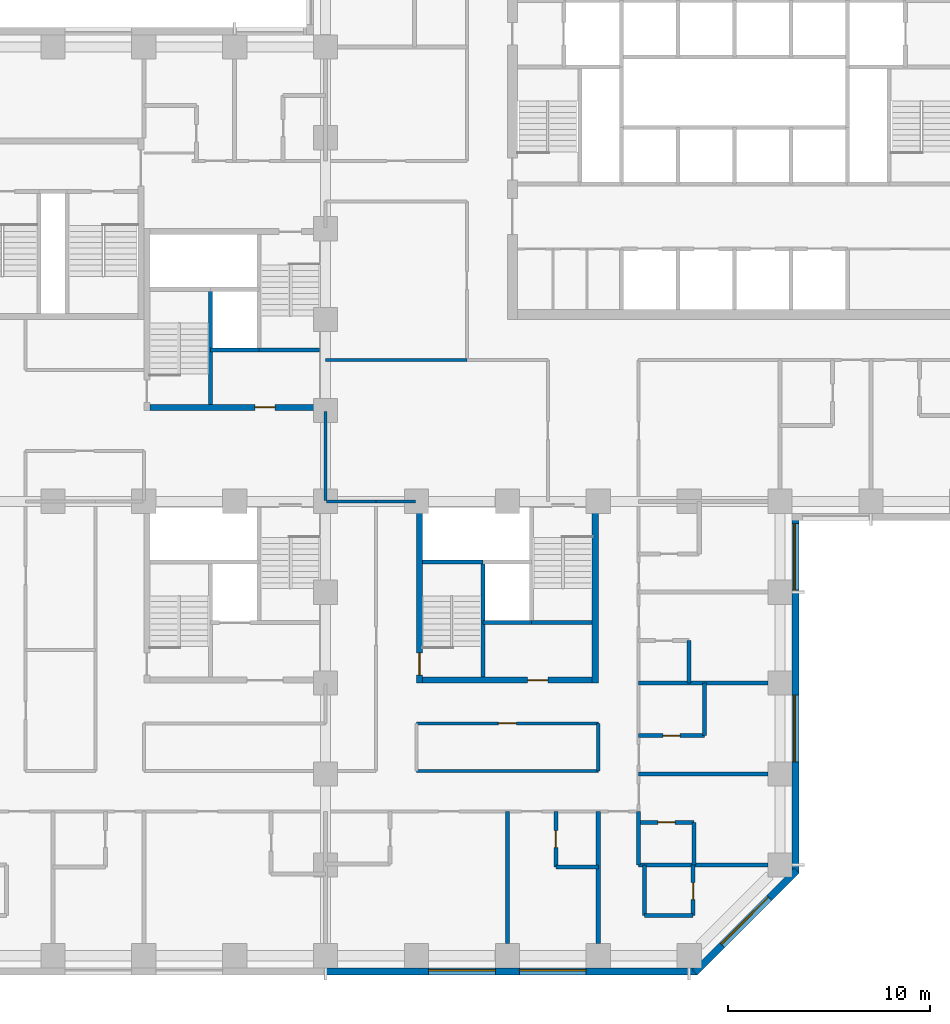
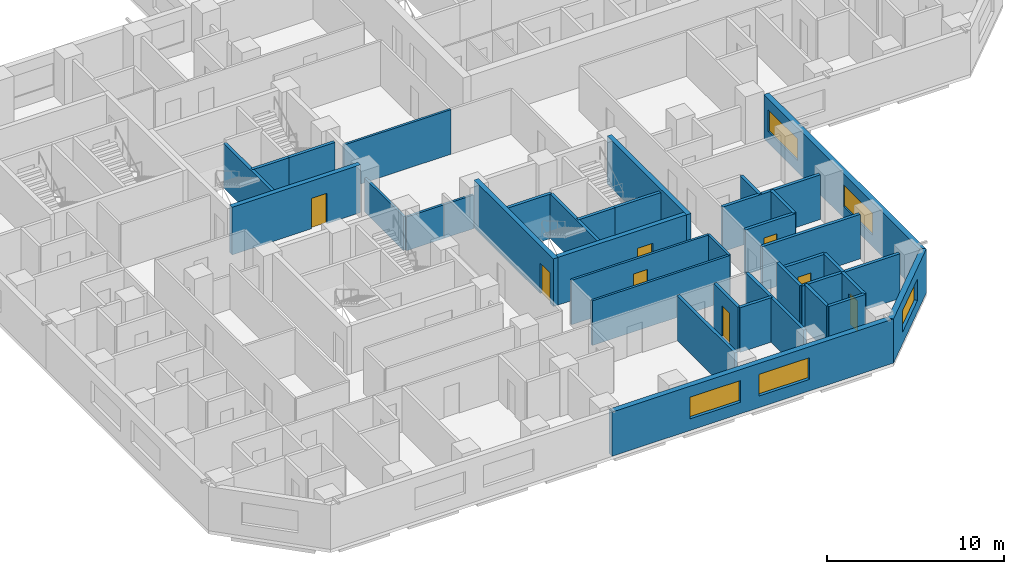
# One storey, part 5 of 13: 37 walls, 8 doors, 5 windows, 13 openings.
"""IFC4 building model written with IfcOpenShell, lengths in metres."""

import ifcopenshell
import ifcopenshell.guid

model = None  # the IFC model being written
_history = None  # IfcOwnerHistory: only IFC2X3 demands one
_inside = {}  # id of a spatial element -> (the spatial element, [elements in it])
_under = {}  # id of a project, library or spatial element -> (it, [spatial elements below it])
_declared = {}  # id of a project -> (the project, [libraries it declares])
_typed = {}  # id of a type object -> (the type object, [elements of that type])
_made_of = {}  # id of a material, layer set ... -> (it, [elements and type objects made of it])


def new_model(schema):
    """Start an empty IFC model of exactly this schema.

    Asked for "IFC4X3", IfcOpenShell would pick the latest addendum, in which some entities
    have other attributes; the version numbers below select the first issue.
    IFC2X3 requires an IfcOwnerHistory on every rooted entity: one is made here for all.
    """
    global model, _history
    if schema == "IFC4X3":
        model = ifcopenshell.file(schema_version=(4, 3, 0, 0))
    else:
        model = ifcopenshell.file(schema=schema)
    _inside.clear()
    _under.clear()
    _declared.clear()
    _typed.clear()
    _made_of.clear()
    _history = None
    if model.schema == "IFC2X3":
        org = make("IfcOrganization", Name="unknown")
        user = make(
            "IfcPersonAndOrganization",
            ThePerson=make("IfcPerson", FamilyName="unknown"),
            TheOrganization=org,
        )
        app = make(
            "IfcApplication",
            ApplicationDeveloper=org,
            Version="unknown",
            ApplicationFullName="unknown",
            ApplicationIdentifier="unknown",
        )
        _history = make(
            "IfcOwnerHistory",
            OwningUser=user,
            OwningApplication=app,
            ChangeAction="ADDED",
            CreationDate=0,
        )
    return model


def make(cls, **values):
    """One entity of the class cls with the attributes given. An attribute that is None is left unset."""
    return model.create_entity(
        cls, **{name: value for name, value in values.items() if value is not None}
    )


def rooted(cls, **values):
    """An entity with a GlobalId (a new one), such as an element, a storey or a relation."""
    return make(cls, GlobalId=ifcopenshell.guid.new(), OwnerHistory=_history, **values)


def si_unit(unit_type, name, prefix=None):
    """IfcSIUnit, for example si_unit("LENGTHUNIT", "METRE", prefix="MILLI")."""
    return make("IfcSIUnit", UnitType=unit_type, Prefix=prefix, Name=name)


def assignment(units):
    """IfcUnitAssignment: the units of a project."""
    return None if units is None else make("IfcUnitAssignment", Units=units)


def point(xyz):
    """IfcCartesianPoint."""
    return None if xyz is None else make("IfcCartesianPoint", Coordinates=xyz)


def direction(xyz):
    """IfcDirection."""
    return None if xyz is None else make("IfcDirection", DirectionRatios=xyz)


def frame(location, z_axis=None, x_axis=None):
    """IfcAxis2Placement3D, a coordinate frame: its origin and axes. An axis left out is left unset."""
    return make(
        "IfcAxis2Placement3D",
        Location=point(location),
        Axis=direction(z_axis),
        RefDirection=direction(x_axis),
    )


def frame_2d(location, x_axis=None):
    """IfcAxis2Placement2D, a coordinate frame in the plane: its origin and x axis."""
    return make(
        "IfcAxis2Placement2D", Location=point(location), RefDirection=direction(x_axis)
    )


def origin():
    """The frame at (0, 0, 0) with its axes left unset."""
    return frame((0.0, 0.0, 0.0))


def place(relative_to, where):
    """IfcLocalPlacement: puts the frame where relative to a parent placement (None: the world)."""
    return make(
        "IfcLocalPlacement", PlacementRelTo=relative_to, RelativePlacement=where
    )


def context(
    kind, dimensions, precision=None, world=None, true_north=None, identifier=None
):
    """IfcGeometricRepresentationContext, for example the 3D "Model" context."""
    return make(
        "IfcGeometricRepresentationContext",
        ContextIdentifier=identifier,
        ContextType=kind,
        CoordinateSpaceDimension=dimensions,
        Precision=precision,
        WorldCoordinateSystem=world,
        TrueNorth=true_north,
    )


def subcontext(parent, identifier, kind, view, scale=None):
    """IfcGeometricRepresentationSubContext, for example "Body" below "Model"."""
    return make(
        "IfcGeometricRepresentationSubContext",
        ContextIdentifier=identifier,
        ContextType=kind,
        ParentContext=parent,
        TargetScale=scale,
        TargetView=view,
    )


def project(units=None, contexts=None):
    """IfcProject with its units and contexts."""
    return rooted(
        "IfcProject",
        Name="project",
        RepresentationContexts=contexts,
        UnitsInContext=assignment(units),
    )


def spatial(cls, under=None, at=None, **own):
    """A site, building, storey or space (cls), placed at a placement, below another one or the project."""
    s = rooted(cls, ObjectPlacement=at, **own)
    if under is not None:
        _under.setdefault(under.id(), (under, []))[1].append(s)
    return s


def profile(cls, at=None, kind="AREA", **sizes):
    """A parametric profile (cls). Its sizes go by their IFC names, for example OverallWidth=200.0."""
    return make(cls, ProfileType=kind, Position=at, **sizes)


def rectangle(**sizes):
    """IfcRectangleProfileDef."""
    return profile("IfcRectangleProfileDef", **sizes)


def extrude(swept, where, along, depth):
    """IfcExtrudedAreaSolid: the profile swept, set in the frame where, extruded along a direction by depth."""
    return make(
        "IfcExtrudedAreaSolid",
        SweptArea=swept,
        Position=where,
        ExtrudedDirection=direction(along),
        Depth=depth,
    )


def shape(context_of_items, identifier, shape_type, items):
    """IfcShapeRepresentation: the items that make up one representation, for example the "Body"."""
    return make(
        "IfcShapeRepresentation",
        ContextOfItems=context_of_items,
        RepresentationIdentifier=identifier,
        RepresentationType=shape_type,
        Items=items,
    )


def material(Name=None, Category=None):
    """IfcMaterial."""
    return make("IfcMaterial", Name=Name, Category=Category)


def layer(
    of_material, thickness, ventilated=None, Name=None, Category=None, Priority=None
):
    """IfcMaterialLayer: one layer of a wall or slab, of a material (None: an air gap)."""
    return make(
        "IfcMaterialLayer",
        Material=of_material,
        LayerThickness=thickness,
        IsVentilated=ventilated,
        Name=Name,
        Category=Category,
        Priority=Priority,
    )


def layer_set(layers, Name=None):
    """IfcMaterialLayerSet."""
    return make("IfcMaterialLayerSet", MaterialLayers=layers, LayerSetName=Name)


def constituent(of_material, Name=None, Category=None, fraction=None):
    """IfcMaterialConstituent: one of the materials an element consists of."""
    return make(
        "IfcMaterialConstituent",
        Name=Name,
        Material=of_material,
        Fraction=fraction,
        Category=Category,
    )


def constituent_set(constituents=None, Name=None):
    """IfcMaterialConstituentSet."""
    return make(
        "IfcMaterialConstituentSet", Name=Name, MaterialConstituents=constituents
    )


def made_of(thing, what):
    """Note that an element or type object is made of a material, layer set ...; save() writes the relation."""
    if what is not None:
        _made_of.setdefault(what.id(), (what, []))[1].append(thing)
    return thing


def type_object(cls, material=None, **own):
    """A type object (cls), such as IfcWallType, which elements share."""
    return made_of(rooted(cls, **own), material)


def element(
    cls,
    number,
    at=None,
    inside=None,
    cuts=None,
    type_object=None,
    material=None,
    context=None,
    identifier="Body",
    shape_type=None,
    held_by="IfcProductDefinitionShape",
    body=None,
    shapes=None,
    **own,
):
    """One element of the class cls, such as IfcWall. Its Tag is "e" and its number.

    at: its placement. inside: the storey or other place that contains it. cuts: it is an
    opening in that element (IfcRelVoidsElement). A single representation is given by context,
    identifier, shape_type and body (its items); several are given by shapes. held_by: the class
    of the entity that holds the representations. save() writes the other relations.
    """
    e = rooted(cls, Tag="e%d" % number, ObjectPlacement=at, **own)
    if body is not None:
        shapes = [shape(context, identifier, shape_type, body)]
    if shapes is not None:
        e.Representation = make(held_by, Representations=shapes)
    if inside is not None:
        _inside.setdefault(inside.id(), (inside, []))[1].append(e)
    if cuts is not None:
        rooted(
            "IfcRelVoidsElement", RelatingBuildingElement=cuts, RelatedOpeningElement=e
        )
    if type_object is not None:
        _typed.setdefault(type_object.id(), (type_object, []))[1].append(e)
    return made_of(e, material)


def fill(opening, filler):
    """IfcRelFillsElement: the door or window that sits in an opening."""
    return rooted(
        "IfcRelFillsElement",
        RelatingOpeningElement=opening,
        RelatedBuildingElement=filler,
    )


def aggregate(whole, parts):
    """IfcRelAggregates: a whole, such as a stair, and the parts it consists of."""
    return rooted("IfcRelAggregates", RelatingObject=whole, RelatedObjects=parts)


def save(model, path):
    """Write the relations noted so far, then the file.

    IfcRelAggregates (storeys below a building ...), IfcRelContainedInSpatialStructure (elements
    in a storey), IfcRelDefinesByType, IfcRelAssociatesMaterial and IfcRelDeclares: one each for
    every whole, place, type object, material and project.
    """
    for whole, parts in _under.values():
        aggregate(whole, parts)
    for where, things in _inside.values():
        rooted(
            "IfcRelContainedInSpatialStructure",
            RelatedElements=things,
            RelatingStructure=where,
        )
    for kind, things in _typed.values():
        rooted("IfcRelDefinesByType", RelatedObjects=things, RelatingType=kind)
    for what, things in _made_of.values():
        rooted("IfcRelAssociatesMaterial", RelatedObjects=things, RelatingMaterial=what)
    for by, libraries in _declared.values():
        rooted("IfcRelDeclares", RelatingContext=by, RelatedDefinitions=libraries)
    model.write(path)


model = new_model("IFC4")

# Units and contexts
model_context = context("Model", 3, precision=1e-05, world=origin(), true_north=direction((0.0, 1.0)))
body_context = subcontext(model_context, "Body", "Model", "MODEL_VIEW")
ifc_project = project(units=[si_unit("LENGTHUNIT", "METRE"), si_unit("AREAUNIT", "SQUARE_METRE"), si_unit("VOLUMEUNIT", "CUBIC_METRE"), si_unit("PLANEANGLEUNIT", "RADIAN"), si_unit("MASSUNIT", "GRAM", prefix="KILO")], contexts=[model_context])

# Site, building, storey
site_placement = place(None, origin())
site = spatial("IfcSite", under=ifc_project, at=site_placement, CompositionType="ELEMENT")
building_placement = place(site_placement, origin())
building = spatial("IfcBuilding", under=site, at=building_placement, Name="Quoin Convention Tower", CompositionType="ELEMENT")
storey_placement = place(building_placement, frame((0.0, 0.0, 36.300048828125)))
storey = spatial("IfcBuildingStorey", under=building, at=storey_placement, Name="L08", CompositionType="ELEMENT", Elevation=36.300048828125)

# Wall, openings, windows
ifc_material_1 = material(Name="Brick masonry", Category="masonry")
ifc_layer_1 = layer(ifc_material_1, 0.35009765625)
ifc_layer_set_1 = layer_set([ifc_layer_1], Name="Brick masonry")
wall_type_1 = type_object("IfcWallType", Name="Brick facade wall", PredefinedType="STANDARD", material=ifc_layer_set_1)
wall_1_placement = place(storey_placement, frame((36.0, 17.22509765625, 0.0), z_axis=(0.0, 0.0, 1.0), x_axis=(1.0, 0.0, 0.0)))
wall_1 = element("IfcWall", 1, at=wall_1_placement, inside=storey, type_object=wall_type_1, Name="fw-L08-36000_18000", PredefinedType="STANDARD", context=body_context, shape_type="SweptSolid", body=[
    extrude(rectangle(XDim=18.3935546875, YDim=0.35009765625, at=frame_2d((9.19677734375, 0.0))), origin(), (0.0, 0.0, 1.0), 3.054931640625),
])
opening_1_placement = place(wall_1_placement, frame((5.10009765625, 0.0, 0.800048828125)))
opening_1 = element("IfcOpeningElement", 2, at=opening_1_placement, cuts=wall_1, Name="Opening W-01", PredefinedType="OPENING", context=body_context, shape_type="SweptSolid", body=[
    extrude(rectangle(XDim=3.300048828125, YDim=1.5, at=frame_2d((1.64990234375, 0.75))), frame((0.0, 0.18505859375, 0.0), z_axis=(0.0, -1.0, 0.0), x_axis=(1.0, 0.0, 0.0)), (0.0, 0.0, 1.0), 0.3701171875),
])
opening_2_placement = place(wall_1_placement, frame((9.60009765625, 0.0, 0.800048828125)))
opening_2 = element("IfcOpeningElement", 3, at=opening_2_placement, cuts=wall_1, Name="Opening W-01", PredefinedType="OPENING", context=body_context, shape_type="SweptSolid", body=[
    extrude(rectangle(XDim=3.300048828125, YDim=1.5, at=frame_2d((1.64990234375, 0.75))), frame((0.0, 0.18505859375, 0.0), z_axis=(0.0, -1.0, 0.0), x_axis=(1.0, 0.0, 0.0)), (0.0, 0.0, 1.0), 0.3701171875),
])
ifc_material_2 = material(Name="Aluminium", Category="aluminium")
ifc_constituent_1 = constituent(ifc_material_2, Name="Frame")
ifc_material_3 = material(Name="Insulated glass", Category="glass")
ifc_constituent_2 = constituent(ifc_material_3, Name="Glazing")
ifc_constituent_set = constituent_set(constituents=[ifc_constituent_1, ifc_constituent_2], Name="Aluminium")
window_type = type_object("IfcWindowType", Name="Hotel strip window", PartitioningType="DOUBLE_PANEL_VERTICAL", PredefinedType="WINDOW", material=ifc_constituent_set)
window_1_placement = place(opening_1_placement, origin())
window_1 = element("IfcWindow", 4, at=window_1_placement, inside=storey, type_object=window_type, Name="win-L08-42750_17225", OverallHeight=1.5, OverallWidth=3.300048828125, PartitioningType="SINGLE_PANEL", PredefinedType="WINDOW", context=body_context, shape_type="SweptSolid", body=[
    extrude(rectangle(XDim=3.300048828125, YDim=1.5, at=frame_2d((1.64990234375, 0.75))), frame((0.0, 0.0849609375, 0.0), z_axis=(0.0, -1.0, 0.0), x_axis=(1.0, 0.0, 0.0)), (0.0, 0.0, 1.0), 0.06005859375),
])
fill(opening_1, window_1)
window_2_placement = place(opening_2_placement, origin())
window_2 = element("IfcWindow", 5, at=window_2_placement, inside=storey, type_object=window_type, Name="win-L08-47250_17225", OverallHeight=1.5, OverallWidth=3.300048828125, PartitioningType="SINGLE_PANEL", PredefinedType="WINDOW", context=body_context, shape_type="SweptSolid", body=[
    extrude(rectangle(XDim=3.300048828125, YDim=1.5, at=frame_2d((1.64990234375, 0.75))), frame((0.0, 0.0849609375, 0.0), z_axis=(0.0, -1.0, 0.0), x_axis=(1.0, 0.0, 0.0)), (0.0, 0.0, 1.0), 0.06005859375),
])
fill(opening_2, window_2)

# Wall, opening, window
wall_2_placement = place(storey_placement, frame((54.269775390625, 17.173583984375, 0.0), z_axis=(0.0, 0.0, 1.0), x_axis=(0.707106781187, 0.707106781187, 0.0)))
wall_2 = element("IfcWall", 6, at=wall_2_placement, inside=storey, type_object=wall_type_1, Name="fw-L08-54000_18000", PredefinedType="STANDARD", context=body_context, shape_type="SweptSolid", body=[
    extrude(rectangle(XDim=7.151123046875, YDim=0.35009765625, at=frame_2d((3.57568359375, 0.0))), origin(), (0.0, 0.0, 1.0), 3.054931640625),
])
opening_3_placement = place(wall_2_placement, frame((1.925537109375, 0.0, 0.800048828125)))
opening_3 = element("IfcOpeningElement", 7, at=opening_3_placement, cuts=wall_2, Name="Opening W-01", PredefinedType="OPENING", context=body_context, shape_type="SweptSolid", body=[
    extrude(rectangle(XDim=3.300048828125, YDim=1.5, at=frame_2d((1.64990234375, 0.75))), frame((0.0, 0.18505859375, 0.0), z_axis=(0.0, -1.0, 0.0), x_axis=(1.0, 0.0, 0.0)), (0.0, 0.0, 1.0), 0.3701171875),
])
window_3_placement = place(opening_3_placement, origin())
window_3 = element("IfcWindow", 8, at=window_3_placement, inside=storey, type_object=window_type, Name="win-L08-56798_19702", OverallHeight=1.5, OverallWidth=3.300048828125, PartitioningType="SINGLE_PANEL", PredefinedType="WINDOW", context=body_context, shape_type="SweptSolid", body=[
    extrude(rectangle(XDim=3.300048828125, YDim=1.5, at=frame_2d((1.64990234375, 0.75))), frame((0.0, 0.0849609375, 0.0), z_axis=(0.0, -1.0, 0.0), x_axis=(1.0, 0.0, 0.0)), (0.0, 0.0, 1.0), 0.06005859375),
])
fill(opening_3, window_3)

# Wall, openings, windows
wall_3_placement = place(storey_placement, frame((59.27490234375, 22.1064453125, 0.0), z_axis=(0.0, 0.0, 1.0), x_axis=(0.0, 1.0, 0.0)))
wall_3 = element("IfcWall", 9, at=wall_3_placement, inside=storey, type_object=wall_type_1, Name="fw-L08-58500_22500", PredefinedType="STANDARD", context=body_context, shape_type="SweptSolid", body=[
    extrude(rectangle(XDim=17.79345703125, YDim=0.35009765625, at=frame_2d((8.896728515625, 0.0))), origin(), (0.0, 0.0, 1.0), 3.054931640625),
])
opening_4_placement = place(wall_3_placement, frame((5.493408203125, 0.0, 0.800048828125)))
opening_4 = element("IfcOpeningElement", 10, at=opening_4_placement, cuts=wall_3, Name="Opening W-01", PredefinedType="OPENING", context=body_context, shape_type="SweptSolid", body=[
    extrude(rectangle(XDim=3.300048828125, YDim=1.5, at=frame_2d((1.64990234375, 0.75))), frame((0.0, 0.18505859375, 0.0), z_axis=(0.0, -1.0, 0.0), x_axis=(1.0, 0.0, 0.0)), (0.0, 0.0, 1.0), 0.3701171875),
])
opening_5_placement = place(wall_3_placement, frame((13.993408203125, 0.0, 0.800048828125)))
opening_5 = element("IfcOpeningElement", 11, at=opening_5_placement, cuts=wall_3, Name="Opening W-01", PredefinedType="OPENING", context=body_context, shape_type="SweptSolid", body=[
    extrude(rectangle(XDim=3.300048828125, YDim=1.5, at=frame_2d((1.64990234375, 0.75))), frame((0.0, 0.18505859375, 0.0), z_axis=(0.0, -1.0, 0.0), x_axis=(1.0, 0.0, 0.0)), (0.0, 0.0, 1.0), 0.3701171875),
])
window_4_placement = place(opening_4_placement, origin())
window_4 = element("IfcWindow", 12, at=window_4_placement, inside=storey, type_object=window_type, Name="win-L08-59275_29250", OverallHeight=1.5, OverallWidth=3.300048828125, PartitioningType="SINGLE_PANEL", PredefinedType="WINDOW", context=body_context, shape_type="SweptSolid", body=[
    extrude(rectangle(XDim=3.300048828125, YDim=1.5, at=frame_2d((1.64990234375, 0.75))), frame((0.0, 0.0849609375, 0.0), z_axis=(0.0, -1.0, 0.0), x_axis=(1.0, 0.0, 0.0)), (0.0, 0.0, 1.0), 0.06005859375),
])
fill(opening_4, window_4)
window_5_placement = place(opening_5_placement, origin())
window_5 = element("IfcWindow", 13, at=window_5_placement, inside=storey, type_object=window_type, Name="win-L08-59275_38250", OverallHeight=1.5, OverallWidth=3.300048828125, PartitioningType="SINGLE_PANEL", PredefinedType="WINDOW", context=body_context, shape_type="SweptSolid", body=[
    extrude(rectangle(XDim=3.300048828125, YDim=1.5, at=frame_2d((1.64990234375, 0.75))), frame((0.0, 0.0849609375, 0.0), z_axis=(0.0, -1.0, 0.0), x_axis=(1.0, 0.0, 0.0)), (0.0, 0.0, 1.0), 0.06005859375),
])
fill(opening_5, window_5)

# Walls
ifc_material_4 = material(Name="Concrete C50", Category="concrete")
ifc_layer_2 = layer(ifc_material_4, 0.199951171875)
ifc_layer_set_2 = layer_set([ifc_layer_2], Name="Concrete C50")
wall_type_2 = type_object("IfcWallType", Name="Core shaft wall", PredefinedType="SOLIDWALL", material=ifc_layer_set_2)
wall_4_placement = place(storey_placement, frame((30.300048828125, 48.0, 0.0), z_axis=(0.0, 0.0, 1.0), x_axis=(1.0, 0.0, 0.0)))
element("IfcWall", 14, at=wall_4_placement, inside=storey, type_object=wall_type_2, Name="cr-P2-L08-h3000_3300", PredefinedType="SOLIDWALL", context=body_context, shape_type="SweptSolid", body=[
    extrude(rectangle(XDim=2.39990234375, YDim=0.199951171875, at=frame_2d((1.199951171875, 0.0))), origin(), (0.0, 0.0, 1.0), 3.079833984375),
])
wall_5_placement = place(storey_placement, frame((32.699951171875, 48.0, 0.0), z_axis=(0.0, 0.0, 1.0), x_axis=(1.0, 0.0, 0.0)))
element("IfcWall", 15, at=wall_5_placement, inside=storey, type_object=wall_type_2, Name="cr-P2-L08-h3000_5700", PredefinedType="SOLIDWALL", context=body_context, shape_type="SweptSolid", body=[
    extrude(rectangle(XDim=3.0, YDim=0.199951171875, at=frame_2d((1.5, 0.0))), origin(), (0.0, 0.0, 1.0), 3.079833984375),
])
wall_6_placement = place(storey_placement, frame((30.300048828125, 45.300048828125, 0.0), z_axis=(0.0, 0.0, 1.0), x_axis=(0.0, 1.0, 0.0)))
element("IfcWall", 16, at=wall_6_placement, inside=storey, type_object=wall_type_2, Name="cr-P2-L08-v3300_300", PredefinedType="SOLIDWALL", context=body_context, shape_type="SweptSolid", body=[
    extrude(rectangle(XDim=5.699951171875, YDim=0.199951171875, at=frame_2d((2.85009765625, 0.0))), origin(), (0.0, 0.0, 1.0), 3.079833984375),
])
wall_7_placement = place(storey_placement, frame((43.800048828125, 34.5, 0.0), z_axis=(0.0, 0.0, 1.0), x_axis=(1.0, 0.0, 0.0)))
element("IfcWall", 17, at=wall_7_placement, inside=storey, type_object=wall_type_2, Name="cr-P3-L08-h3000_3300", PredefinedType="SOLIDWALL", context=body_context, shape_type="SweptSolid", body=[
    extrude(rectangle(XDim=2.39990234375, YDim=0.199951171875, at=frame_2d((1.199951171875, 0.0))), origin(), (0.0, 0.0, 1.0), 3.079833984375),
])
for number, where, z_axis, x_axis, name in (
    (18, (46.199951171875, 34.5, 0.0), (0.0, 0.0, 1.0), (1.0, 0.0, 0.0), "cr-P3-L08-h3000_5700"),
    (19, (40.800048828125, 37.5, 0.0), (0.0, 0.0, 1.0), (1.0, 0.0, 0.0), "cr-P3-L08-h6000_300"),
):
    element("IfcWall", number, at=place(storey_placement, frame(where, z_axis=z_axis, x_axis=x_axis)), inside=storey, type_object=wall_type_2, Name=name, PredefinedType="SOLIDWALL", context=body_context, shape_type="SweptSolid", body=[
        extrude(rectangle(XDim=3.0, YDim=0.199951171875, at=frame_2d((1.5, 0.0))), origin(), (0.0, 0.0, 1.0), 3.079833984375),
    ])
wall_8_placement = place(storey_placement, frame((43.800048828125, 31.800048828125, 0.0), z_axis=(0.0, 0.0, 1.0), x_axis=(0.0, 1.0, 0.0)))
element("IfcWall", 20, at=wall_8_placement, inside=storey, type_object=wall_type_2, Name="cr-P3-L08-v3300_300", PredefinedType="SOLIDWALL", context=body_context, shape_type="SweptSolid", body=[
    extrude(rectangle(XDim=5.699951171875, YDim=0.199951171875, at=frame_2d((2.85009765625, 0.0))), origin(), (0.0, 0.0, 1.0), 3.079833984375),
])

# Wall, opening, door
ifc_material_5 = material(Name="Concrete C80", Category="concrete")
ifc_layer_3 = layer(ifc_material_5, 0.300048828125)
ifc_layer_set_3 = layer_set([ifc_layer_3], Name="Concrete C80")
wall_type_3 = type_object("IfcWallType", Name="RC CORE WALL 300 C80", PredefinedType="SHEAR", material=ifc_layer_set_3)
wall_9_placement = place(storey_placement, frame((27.300048828125, 45.14990234375, 0.0), z_axis=(0.0, 0.0, 1.0), x_axis=(1.0, 0.0, 0.0)))
wall_9 = element("IfcWall", 21, at=wall_9_placement, inside=storey, type_object=wall_type_3, Name="cwl-P2-L08-S", PredefinedType="SHEAR", context=body_context, shape_type="SweptSolid", body=[
    extrude(rectangle(XDim=8.39990234375, YDim=0.300048828125, at=frame_2d((4.199951171875, 0.0))), origin(), (0.0, 0.0, 1.0), 3.300048828125),
])
opening_6_placement = place(wall_9_placement, frame((5.199951171875, 0.0, 0.0)))
opening_6 = element("IfcOpeningElement", 22, at=opening_6_placement, cuts=wall_9, Name="Opening DCV3-41", PredefinedType="OPENING", context=body_context, shape_type="SweptSolid", body=[
    extrude(rectangle(XDim=1.0, YDim=2.10009765625, at=frame_2d((0.5, 1.050048828125))), frame((0.0, 0.159912109375, 0.0), z_axis=(0.0, -1.0, 0.0), x_axis=(1.0, 0.0, 0.0)), (0.0, 0.0, 1.0), 0.320068359375),
])
ifc_material_6 = material(Name="Steel door leaf", Category="steel")
door_type_1 = type_object("IfcDoorType", Name="Service door 1000 x 2100", OperationType="SINGLE_SWING_LEFT", PredefinedType="DOOR", material=ifc_material_6)
door_1_placement = place(opening_6_placement, origin())
door_1 = element("IfcDoor", 23, at=door_1_placement, inside=storey, type_object=door_type_1, Name="cd-P2-L08-R2-S", OperationType="SINGLE_SWING_LEFT", OverallHeight=2.10009765625, OverallWidth=1.0, PredefinedType="DOOR", context=body_context, shape_type="SweptSolid", body=[
    extrude(rectangle(XDim=1.0, YDim=2.10009765625, at=frame_2d((0.5, 1.050048828125))), frame((0.0, 0.02490234375, 0.0), z_axis=(0.0, -1.0, 0.0), x_axis=(1.0, 0.0, 0.0)), (0.0, 0.0, 1.0), 0.050048828125),
])
fill(opening_6, door_1)

wall_10_placement = place(storey_placement, frame((40.800048828125, 31.64990234375, 0.0), z_axis=(0.0, 0.0, 1.0), x_axis=(1.0, 0.0, 0.0)))
wall_10 = element("IfcWall", 24, at=wall_10_placement, inside=storey, type_object=wall_type_3, Name="cwl-P3-L08-S", PredefinedType="SHEAR", context=body_context, shape_type="SweptSolid", body=[
    extrude(rectangle(XDim=8.39990234375, YDim=0.300048828125, at=frame_2d((4.199951171875, 0.0))), origin(), (0.0, 0.0, 1.0), 3.300048828125),
])
opening_7_placement = place(wall_10_placement, frame((5.199951171875, 0.0, 0.0)))
opening_7 = element("IfcOpeningElement", 25, at=opening_7_placement, cuts=wall_10, Name="Opening DCV3-42", PredefinedType="OPENING", context=body_context, shape_type="SweptSolid", body=[
    extrude(rectangle(XDim=1.0, YDim=2.10009765625, at=frame_2d((0.5, 1.050048828125))), frame((0.0, 0.159912109375, 0.0), z_axis=(0.0, -1.0, 0.0), x_axis=(1.0, 0.0, 0.0)), (0.0, 0.0, 1.0), 0.320068359375),
])
door_2_placement = place(opening_7_placement, origin())
door_2 = element("IfcDoor", 26, at=door_2_placement, inside=storey, type_object=door_type_1, Name="cd-P3-L08-R2-S", OperationType="SINGLE_SWING_LEFT", OverallHeight=2.10009765625, OverallWidth=1.0, PredefinedType="DOOR", context=body_context, shape_type="SweptSolid", body=[
    extrude(rectangle(XDim=1.0, YDim=2.10009765625, at=frame_2d((0.5, 1.050048828125))), frame((0.0, 0.02490234375, 0.0), z_axis=(0.0, -1.0, 0.0), x_axis=(1.0, 0.0, 0.0)), (0.0, 0.0, 1.0), 0.050048828125),
])
fill(opening_7, door_2)

wall_11_placement = place(storey_placement, frame((40.64990234375, 31.5, 0.0), z_axis=(0.0, 0.0, 1.0), x_axis=(0.0, 1.0, 0.0)))
wall_11 = element("IfcWall", 27, at=wall_11_placement, inside=storey, type_object=wall_type_3, Name="cwl-P3-L08-W", PredefinedType="SHEAR", context=body_context, shape_type="SweptSolid", body=[
    extrude(rectangle(XDim=9.0, YDim=0.300048828125, at=frame_2d((4.5, 0.0))), origin(), (0.0, 0.0, 1.0), 3.300048828125),
])
opening_8_placement = place(wall_11_placement, frame((0.39990234375, 0.0, 0.0)))
opening_8 = element("IfcOpeningElement", 28, at=opening_8_placement, cuts=wall_11, Name="Opening SD5", PredefinedType="OPENING", context=body_context, shape_type="SweptSolid", body=[
    extrude(rectangle(XDim=1.10009765625, YDim=2.10009765625, at=frame_2d((0.550048828125, 1.050048828125))), frame((0.0, 0.159912109375, 0.0), z_axis=(0.0, -1.0, 0.0), x_axis=(1.0, 0.0, 0.0)), (0.0, 0.0, 1.0), 0.320068359375),
])
door_type_2 = type_object("IfcDoorType", Name="Stair door 1100 x 2100", OperationType="SINGLE_SWING_RIGHT", PredefinedType="DOOR", material=ifc_material_6)
door_3_placement = place(opening_8_placement, frame((1.10009765625, 0.0, 0.0), z_axis=(0.0, 0.0, 1.0), x_axis=(-1.0, 0.0, 0.0)))
door_3 = element("IfcDoor", 29, at=door_3_placement, inside=storey, type_object=door_type_2, Name="cd-P3-L08-SA-W", OperationType="SINGLE_SWING_RIGHT", OverallHeight=2.10009765625, OverallWidth=1.10009765625, PredefinedType="DOOR", context=body_context, shape_type="SweptSolid", body=[
    extrude(rectangle(XDim=1.10009765625, YDim=2.10009765625, at=frame_2d((0.550048828125, 1.050048828125))), frame((0.0, 0.02490234375, 0.0), z_axis=(0.0, -1.0, 0.0), x_axis=(1.0, 0.0, 0.0)), (0.0, 0.0, 1.0), 0.050048828125),
])
fill(opening_8, door_3)

# Walls
wall_12_placement = place(storey_placement, frame((49.35009765625, 31.5, 0.0), z_axis=(0.0, 0.0, 1.0), x_axis=(0.0, 1.0, 0.0)))
element("IfcWall", 30, at=wall_12_placement, inside=storey, type_object=wall_type_3, Name="cwl-P3-L08-E", PredefinedType="SHEAR", context=body_context, shape_type="SweptSolid", body=[
    extrude(rectangle(XDim=9.0, YDim=0.300048828125, at=frame_2d((4.5, 0.0))), origin(), (0.0, 0.0, 1.0), 3.300048828125),
])
ifc_layer_4 = layer(ifc_material_4, 0.199951171875)
ifc_layer_set_4 = layer_set([ifc_layer_4], Name="Concrete C50")
wall_type_4 = type_object("IfcWallType", Name="RC party wall", PredefinedType="SOLIDWALL", material=ifc_layer_set_4)
for number, where, z_axis, x_axis, name in (
    (31, (45.0, 18.60009765625, 0.0), (0.0, 0.0, 1.0), (0.0, 1.0, 0.0), "pw-L08-042"),
    (32, (49.5, 18.60009765625, 0.0), (0.0, 0.0, 1.0), (0.0, 1.0, 0.0), "pw-L08-043"),
):
    element("IfcWall", number, at=place(storey_placement, frame(where, z_axis=z_axis, x_axis=x_axis)), inside=storey, type_object=wall_type_4, Name=name, PredefinedType="SOLIDWALL", context=body_context, shape_type="SweptSolid", body=[
        extrude(rectangle(XDim=6.5498046875, YDim=0.199951171875, at=frame_2d((3.27490234375, 0.0))), origin(), (0.0, 0.0, 1.0), 3.079833984375),
    ])
wall_13_placement = place(storey_placement, frame((51.800048828125, 20.0, 0.0), z_axis=(0.0, 0.0, 1.0), x_axis=(1.0, 0.0, 0.0)))
element("IfcWall", 33, at=wall_13_placement, inside=storey, type_object=wall_type_4, Name="pw-L08-047", PredefinedType="SOLIDWALL", context=body_context, shape_type="SweptSolid", body=[
    extrude(rectangle(XDim=2.39990234375, YDim=0.199951171875, at=frame_2d((1.199951171875, 0.0))), origin(), (0.0, 0.0, 1.0), 3.079833984375),
])
wall_14_placement = place(storey_placement, frame((51.800048828125, 20.0, 0.0), z_axis=(0.0, 0.0, 1.0), x_axis=(0.0, 1.0, 0.0)))
element("IfcWall", 34, at=wall_14_placement, inside=storey, type_object=wall_type_4, Name="pw-L08-048", PredefinedType="SOLIDWALL", context=body_context, shape_type="SweptSolid", body=[
    extrude(rectangle(XDim=2.5, YDim=0.199951171875, at=frame_2d((1.25, 0.0))), origin(), (0.0, 0.0, 1.0), 3.079833984375),
])

# Wall, opening, door
wall_15_placement = place(storey_placement, frame((54.199951171875, 20.0, 0.0), z_axis=(0.0, 0.0, 1.0), x_axis=(0.0, 1.0, 0.0)))
wall_15 = element("IfcWall", 35, at=wall_15_placement, inside=storey, type_object=wall_type_4, Name="pw-L08-049", PredefinedType="SOLIDWALL", context=body_context, shape_type="SweptSolid", body=[
    extrude(rectangle(XDim=2.5, YDim=0.199951171875, at=frame_2d((1.25, 0.0))), origin(), (0.0, 0.0, 1.0), 3.079833984375),
])
opening_9_placement = place(wall_15_placement, frame((0.77490234375, 0.0, 0.0)))
opening_9 = element("IfcOpeningElement", 36, at=opening_9_placement, cuts=wall_15, Name="Opening DHOTEL-D-43", PredefinedType="OPENING", context=body_context, shape_type="SweptSolid", body=[
    extrude(rectangle(XDim=0.85009765625, YDim=2.10009765625, at=frame_2d((0.425048828125, 1.050048828125))), frame((0.0, 0.10986328125, 0.0), z_axis=(0.0, -1.0, 0.0), x_axis=(1.0, 0.0, 0.0)), (0.0, 0.0, 1.0), 0.219970703125),
])
door_type_3 = type_object("IfcDoorType", Name="Bathroom door", OperationType="SINGLE_SWING_LEFT", PredefinedType="DOOR", material=ifc_material_6)
door_4_placement = place(opening_9_placement, frame((0.85009765625, 0.0, 0.0), z_axis=(0.0, 0.0, 1.0), x_axis=(-1.0, 0.0, 0.0)))
door_4 = element("IfcDoor", 37, at=door_4_placement, inside=storey, type_object=door_type_3, Name="dr-L08-062", OperationType="SINGLE_SWING_LEFT", OverallHeight=2.10009765625, OverallWidth=0.85009765625, PredefinedType="DOOR", context=body_context, shape_type="SweptSolid", body=[
    extrude(rectangle(XDim=0.85009765625, YDim=2.10009765625, at=frame_2d((0.425048828125, 1.050048828125))), frame((0.0, 0.02490234375, 0.0), z_axis=(0.0, -1.0, 0.0), x_axis=(1.0, 0.0, 0.0)), (0.0, 0.0, 1.0), 0.050048828125),
])
fill(opening_9, door_4)

# Wall
wall_16_placement = place(storey_placement, frame((47.39990234375, 22.39990234375, 0.0), z_axis=(0.0, 0.0, 1.0), x_axis=(1.0, 0.0, 0.0)))
element("IfcWall", 38, at=wall_16_placement, inside=storey, type_object=wall_type_4, Name="pw-L08-054", PredefinedType="SOLIDWALL", context=body_context, shape_type="SweptSolid", body=[
    extrude(rectangle(XDim=2.10009765625, YDim=0.199951171875, at=frame_2d((1.050048828125, 0.0))), origin(), (0.0, 0.0, 1.0), 3.079833984375),
])

# Wall, opening, door
wall_17_placement = place(storey_placement, frame((47.39990234375, 22.39990234375, 0.0), z_axis=(0.0, 0.0, 1.0), x_axis=(0.0, 1.0, 0.0)))
wall_17 = element("IfcWall", 39, at=wall_17_placement, inside=storey, type_object=wall_type_4, Name="pw-L08-055", PredefinedType="SOLIDWALL", context=body_context, shape_type="SweptSolid", body=[
    extrude(rectangle(XDim=2.75, YDim=0.199951171875, at=frame_2d((1.375, 0.0))), origin(), (0.0, 0.0, 1.0), 3.079833984375),
])
opening_10_placement = place(wall_17_placement, frame((0.949951171875, 0.0, 0.0)))
opening_10 = element("IfcOpeningElement", 40, at=opening_10_placement, cuts=wall_17, Name="Opening DHOTEL-D-46", PredefinedType="OPENING", context=body_context, shape_type="SweptSolid", body=[
    extrude(rectangle(XDim=0.85009765625, YDim=2.10009765625, at=frame_2d((0.425048828125, 1.050048828125))), frame((0.0, 0.10986328125, 0.0), z_axis=(0.0, -1.0, 0.0), x_axis=(1.0, 0.0, 0.0)), (0.0, 0.0, 1.0), 0.219970703125),
])
door_5_placement = place(opening_10_placement, origin())
door_5 = element("IfcDoor", 41, at=door_5_placement, inside=storey, type_object=door_type_3, Name="dr-L08-008", OperationType="SINGLE_SWING_RIGHT", OverallHeight=2.10009765625, OverallWidth=0.85009765625, PredefinedType="DOOR", context=body_context, shape_type="SweptSolid", body=[
    extrude(rectangle(XDim=0.85009765625, YDim=2.10009765625, at=frame_2d((0.425048828125, 1.050048828125))), frame((0.0, 0.02490234375, 0.0), z_axis=(0.0, -1.0, 0.0), x_axis=(1.0, 0.0, 0.0)), (0.0, 0.0, 1.0), 0.050048828125),
])
fill(opening_10, door_5)

# Walls
wall_18_placement = place(storey_placement, frame((51.5, 22.5, 0.0), z_axis=(0.0, 0.0, 1.0), x_axis=(1.0, 0.0, 0.0)))
element("IfcWall", 42, at=wall_18_placement, inside=storey, type_object=wall_type_4, Name="pw-L08-059", PredefinedType="SOLIDWALL", context=body_context, shape_type="SweptSolid", body=[
    extrude(rectangle(XDim=6.39990234375, YDim=0.199951171875, at=frame_2d((3.199951171875, 0.0))), origin(), (0.0, 0.0, 1.0), 3.079833984375),
])
wall_19_placement = place(storey_placement, frame((51.5, 22.5, 0.0), z_axis=(0.0, 0.0, 1.0), x_axis=(0.0, 1.0, 0.0)))
element("IfcWall", 43, at=wall_19_placement, inside=storey, type_object=wall_type_4, Name="pw-L08-060", PredefinedType="SOLIDWALL", context=body_context, shape_type="SweptSolid", body=[
    extrude(rectangle(XDim=2.64990234375, YDim=0.199951171875, at=frame_2d((1.324951171875, 0.0))), origin(), (0.0, 0.0, 1.0), 3.079833984375),
])
wall_20_placement = place(storey_placement, frame((54.25, 22.5, 0.0), z_axis=(0.0, 0.0, 1.0), x_axis=(0.0, 1.0, 0.0)))
element("IfcWall", 44, at=wall_20_placement, inside=storey, type_object=wall_type_4, Name="pw-L08-061", PredefinedType="SOLIDWALL", context=body_context, shape_type="SweptSolid", body=[
    extrude(rectangle(XDim=2.10009765625, YDim=0.199951171875, at=frame_2d((1.050048828125, 0.0))), origin(), (0.0, 0.0, 1.0), 3.079833984375),
])

# Wall, opening, door
wall_21_placement = place(storey_placement, frame((51.5, 24.60009765625, 0.0), z_axis=(0.0, 0.0, 1.0), x_axis=(1.0, 0.0, 0.0)))
wall_21 = element("IfcWall", 45, at=wall_21_placement, inside=storey, type_object=wall_type_4, Name="pw-L08-064", PredefinedType="SOLIDWALL", context=body_context, shape_type="SweptSolid", body=[
    extrude(rectangle(XDim=2.75, YDim=0.199951171875, at=frame_2d((1.375, 0.0))), origin(), (0.0, 0.0, 1.0), 3.079833984375),
])
opening_11_placement = place(wall_21_placement, frame((0.949951171875, 0.0, 0.0)))
opening_11 = element("IfcOpeningElement", 46, at=opening_11_placement, cuts=wall_21, Name="Opening DHOTEL-D-48", PredefinedType="OPENING", context=body_context, shape_type="SweptSolid", body=[
    extrude(rectangle(XDim=0.85009765625, YDim=2.10009765625, at=frame_2d((0.425048828125, 1.050048828125))), frame((0.0, 0.10986328125, 0.0), z_axis=(0.0, -1.0, 0.0), x_axis=(1.0, 0.0, 0.0)), (0.0, 0.0, 1.0), 0.219970703125),
])
door_6_placement = place(opening_11_placement, origin())
door_6 = element("IfcDoor", 47, at=door_6_placement, inside=storey, type_object=door_type_3, Name="dr-L08-024", OperationType="SINGLE_SWING_LEFT", OverallHeight=2.10009765625, OverallWidth=0.85009765625, PredefinedType="DOOR", context=body_context, shape_type="SweptSolid", body=[
    extrude(rectangle(XDim=0.85009765625, YDim=2.10009765625, at=frame_2d((0.425048828125, 1.050048828125))), frame((0.0, 0.02490234375, 0.0), z_axis=(0.0, -1.0, 0.0), x_axis=(1.0, 0.0, 0.0)), (0.0, 0.0, 1.0), 0.050048828125),
])
fill(opening_11, door_6)

# Wall
wall_22_placement = place(storey_placement, frame((51.5, 27.0, 0.0), z_axis=(0.0, 0.0, 1.0), x_axis=(1.0, 0.0, 0.0)))
element("IfcWall", 48, at=wall_22_placement, inside=storey, type_object=wall_type_4, Name="pw-L08-067", PredefinedType="SOLIDWALL", context=body_context, shape_type="SweptSolid", body=[
    extrude(rectangle(XDim=6.39990234375, YDim=0.199951171875, at=frame_2d((3.199951171875, 0.0))), origin(), (0.0, 0.0, 1.0), 3.079833984375),
])

# Wall, opening, door
wall_23_placement = place(storey_placement, frame((51.5, 28.89990234375, 0.0), z_axis=(0.0, 0.0, 1.0), x_axis=(1.0, 0.0, 0.0)))
wall_23 = element("IfcWall", 49, at=wall_23_placement, inside=storey, type_object=wall_type_4, Name="pw-L08-068", PredefinedType="SOLIDWALL", context=body_context, shape_type="SweptSolid", body=[
    extrude(rectangle(XDim=3.25, YDim=0.199951171875, at=frame_2d((1.625, 0.0))), origin(), (0.0, 0.0, 1.0), 3.079833984375),
])
opening_12_placement = place(wall_23_placement, frame((1.199951171875, 0.0, 0.0)))
opening_12 = element("IfcOpeningElement", 50, at=opening_12_placement, cuts=wall_23, Name="Opening DHOTEL-D-50", PredefinedType="OPENING", context=body_context, shape_type="SweptSolid", body=[
    extrude(rectangle(XDim=0.85009765625, YDim=2.10009765625, at=frame_2d((0.425048828125, 1.050048828125))), frame((0.0, 0.10986328125, 0.0), z_axis=(0.0, -1.0, 0.0), x_axis=(1.0, 0.0, 0.0)), (0.0, 0.0, 1.0), 0.219970703125),
])
door_7_placement = place(opening_12_placement, frame((0.85009765625, 0.0, 0.0), z_axis=(0.0, 0.0, 1.0), x_axis=(-1.0, 0.0, 0.0)))
door_7 = element("IfcDoor", 51, at=door_7_placement, inside=storey, type_object=door_type_3, Name="dr-L08-026", OperationType="SINGLE_SWING_RIGHT", OverallHeight=2.10009765625, OverallWidth=0.85009765625, PredefinedType="DOOR", context=body_context, shape_type="SweptSolid", body=[
    extrude(rectangle(XDim=0.85009765625, YDim=2.10009765625, at=frame_2d((0.425048828125, 1.050048828125))), frame((0.0, 0.02490234375, 0.0), z_axis=(0.0, -1.0, 0.0), x_axis=(1.0, 0.0, 0.0)), (0.0, 0.0, 1.0), 0.050048828125),
])
fill(opening_12, door_7)

# Walls
wall_24_placement = place(storey_placement, frame((54.75, 28.89990234375, 0.0), z_axis=(0.0, 0.0, 1.0), x_axis=(0.0, 1.0, 0.0)))
element("IfcWall", 52, at=wall_24_placement, inside=storey, type_object=wall_type_4, Name="pw-L08-069", PredefinedType="SOLIDWALL", context=body_context, shape_type="SweptSolid", body=[
    extrude(rectangle(XDim=2.60009765625, YDim=0.199951171875, at=frame_2d((1.300048828125, 0.0))), origin(), (0.0, 0.0, 1.0), 3.079833984375),
])
wall_25_placement = place(storey_placement, frame((51.5, 31.5, 0.0), z_axis=(0.0, 0.0, 1.0), x_axis=(1.0, 0.0, 0.0)))
element("IfcWall", 53, at=wall_25_placement, inside=storey, type_object=wall_type_4, Name="pw-L08-074", PredefinedType="SOLIDWALL", context=body_context, shape_type="SweptSolid", body=[
    extrude(rectangle(XDim=6.39990234375, YDim=0.199951171875, at=frame_2d((3.199951171875, 0.0))), origin(), (0.0, 0.0, 1.0), 3.079833984375),
])
wall_26_placement = place(storey_placement, frame((54.0, 31.5, 0.0), z_axis=(0.0, 0.0, 1.0), x_axis=(0.0, 1.0, 0.0)))
element("IfcWall", 54, at=wall_26_placement, inside=storey, type_object=wall_type_4, Name="pw-L08-075", PredefinedType="SOLIDWALL", context=body_context, shape_type="SweptSolid", body=[
    extrude(rectangle(XDim=2.10009765625, YDim=0.199951171875, at=frame_2d((1.050048828125, 0.0))), origin(), (0.0, 0.0, 1.0), 3.079833984375),
])
ifc_material_7 = material(Name="Plasterboard")
ifc_layer_5 = layer(ifc_material_7, 0.012451171875, Name="Finish")
ifc_material_8 = material(Name="Steel stud framing", Category="steel")
ifc_layer_6 = layer(ifc_material_8, 0.125, Name="Structure")
ifc_layer_7 = layer(ifc_material_7, 0.012451171875, Name="Finish")
ifc_layer_set_5 = layer_set([ifc_layer_5, ifc_layer_6, ifc_layer_7], Name="Steel stud framing")
wall_type_5 = type_object("IfcWallType", Name="corridor partition", PredefinedType="PARTITIONING", material=ifc_layer_set_5)
wall_27_placement = place(storey_placement, frame((40.5, 27.14990234375, 0.0), z_axis=(0.0, 0.0, 1.0), x_axis=(1.0, 0.0, 0.0)))
element("IfcWall", 55, at=wall_27_placement, inside=storey, type_object=wall_type_5, Name="pw-L08-014", PredefinedType="PARTITIONING", context=body_context, shape_type="SweptSolid", body=[
    extrude(rectangle(XDim=9.0, YDim=0.14990234375, at=frame_2d((4.5, 0.0))), origin(), (0.0, 0.0, 1.0), 3.079833984375),
])
wall_28_placement = place(storey_placement, frame((49.5, 27.14990234375, 0.0), z_axis=(0.0, 0.0, 1.0), x_axis=(0.0, 1.0, 0.0)))
element("IfcWall", 56, at=wall_28_placement, inside=storey, type_object=wall_type_5, Name="pw-L08-016", PredefinedType="PARTITIONING", context=body_context, shape_type="SweptSolid", body=[
    extrude(rectangle(XDim=2.35009765625, YDim=0.14990234375, at=frame_2d((1.175048828125, 0.0))), origin(), (0.0, 0.0, 1.0), 3.079833984375),
])

# Wall, opening, door
wall_29_placement = place(storey_placement, frame((40.5, 29.5, 0.0), z_axis=(0.0, 0.0, 1.0), x_axis=(1.0, 0.0, 0.0)))
wall_29 = element("IfcWall", 57, at=wall_29_placement, inside=storey, type_object=wall_type_5, Name="pw-L08-019", PredefinedType="PARTITIONING", context=body_context, shape_type="SweptSolid", body=[
    extrude(rectangle(XDim=9.0, YDim=0.14990234375, at=frame_2d((4.5, 0.0))), origin(), (0.0, 0.0, 1.0), 3.079833984375),
])
opening_13_placement = place(wall_29_placement, frame((4.050048828125, 0.0, 0.0)))
opening_13 = element("IfcOpeningElement", 58, at=opening_13_placement, cuts=wall_29, Name="Opening DHOTEL-D-21", PredefinedType="OPENING", context=body_context, shape_type="SweptSolid", body=[
    extrude(rectangle(XDim=0.89990234375, YDim=2.10009765625, at=frame_2d((0.449951171875, 1.050048828125))), frame((0.0, 0.0849609375, 0.0), z_axis=(0.0, -1.0, 0.0), x_axis=(1.0, 0.0, 0.0)), (0.0, 0.0, 1.0), 0.169921875),
])
door_type_4 = type_object("IfcDoorType", Name="Single room door", OperationType="SINGLE_SWING_RIGHT", PredefinedType="DOOR", material=ifc_material_6)
door_8_placement = place(opening_13_placement, frame((0.89990234375, 0.0, 0.0), z_axis=(0.0, 0.0, 1.0), x_axis=(-1.0, 0.0, 0.0)))
door_8 = element("IfcDoor", 59, at=door_8_placement, inside=storey, type_object=door_type_4, Name="dr-L08-074", OperationType="SINGLE_SWING_LEFT", OverallHeight=2.10009765625, OverallWidth=0.89990234375, PredefinedType="DOOR", context=body_context, shape_type="SweptSolid", body=[
    extrude(rectangle(XDim=0.89990234375, YDim=2.10009765625, at=frame_2d((0.449951171875, 1.050048828125))), frame((0.0, 0.02490234375, 0.0), z_axis=(0.0, -1.0, 0.0), x_axis=(1.0, 0.0, 0.0)), (0.0, 0.0, 1.0), 0.050048828125),
])
fill(opening_13, door_8)

# Walls
ifc_layer_8 = layer(ifc_material_7, 0.012451171875, Name="Finish")
ifc_layer_9 = layer(ifc_material_8, 0.125, Name="Structure")
ifc_layer_10 = layer(ifc_material_7, 0.012451171875, Name="Finish")
ifc_layer_set_6 = layer_set([ifc_layer_8, ifc_layer_9, ifc_layer_10], Name="Steel stud framing")
wall_type_6 = type_object("IfcWallType", Name="corridor partition under beam 750", PredefinedType="PARTITIONING", material=ifc_layer_set_6)
wall_30_placement = place(storey_placement, frame((38.5, 40.5, 0.0), z_axis=(0.0, 0.0, 1.0), x_axis=(1.0, 0.0, 0.0)))
element("IfcWall", 60, at=wall_30_placement, inside=storey, type_object=wall_type_6, Name="pw-L08-021", PredefinedType="PARTITIONING", context=body_context, shape_type="SweptSolid", body=[
    extrude(rectangle(XDim=1.949951171875, YDim=0.14990234375, at=frame_2d((0.97509765625, 0.0))), origin(), (0.0, 0.0, 1.0), 2.329833984375),
])
wall_31_placement = place(storey_placement, frame((36.0, 40.550048828125, 0.0), z_axis=(0.0, 0.0, 1.0), x_axis=(0.0, 1.0, 0.0)))
element("IfcWall", 61, at=wall_31_placement, inside=storey, type_object=wall_type_6, Name="pw-L08-023", PredefinedType="PARTITIONING", context=body_context, shape_type="SweptSolid", body=[
    extrude(rectangle(XDim=4.39990234375, YDim=0.14990234375, at=frame_2d((2.199951171875, 0.0))), origin(), (0.0, 0.0, 1.0), 2.329833984375),
])
ifc_layer_11 = layer(ifc_material_7, 0.012451171875, Name="Finish")
ifc_layer_12 = layer(ifc_material_8, 0.125, Name="Structure")
ifc_layer_13 = layer(ifc_material_7, 0.012451171875, Name="Finish")
ifc_layer_set_7 = layer_set([ifc_layer_11, ifc_layer_12, ifc_layer_13], Name="Steel stud framing")
wall_type_7 = type_object("IfcWallType", Name="room partition", PredefinedType="PARTITIONING", material=ifc_layer_set_7)
wall_32_placement = place(storey_placement, frame((36.0, 47.5, 0.0), z_axis=(0.0, 0.0, 1.0), x_axis=(1.0, 0.0, 0.0)))
element("IfcWall", 62, at=wall_32_placement, inside=storey, type_object=wall_type_7, Name="pw-L08-163", PredefinedType="PARTITIONING", context=body_context, shape_type="SweptSolid", body=[
    extrude(rectangle(XDim=7.0, YDim=0.14990234375, at=frame_2d((3.5, 0.0))), origin(), (0.0, 0.0, 1.0), 3.079833984375),
])
ifc_layer_14 = layer(ifc_material_7, 0.012451171875, Name="Finish")
ifc_layer_15 = layer(ifc_material_8, 0.125, Name="Structure")
ifc_layer_16 = layer(ifc_material_7, 0.012451171875, Name="Finish")
ifc_layer_set_8 = layer_set([ifc_layer_14, ifc_layer_15, ifc_layer_16], Name="Steel stud framing")
wall_type_8 = type_object("IfcWallType", Name="room partition under beam 750", PredefinedType="PARTITIONING", material=ifc_layer_set_8)
wall_33_placement = place(storey_placement, frame((36.050048828125, 40.5, 0.0), z_axis=(0.0, 0.0, 1.0), x_axis=(1.0, 0.0, 0.0)))
element("IfcWall", 63, at=wall_33_placement, inside=storey, type_object=wall_type_8, Name="pw-L08-160", PredefinedType="PARTITIONING", context=body_context, shape_type="SweptSolid", body=[
    extrude(rectangle(XDim=2.449951171875, YDim=0.14990234375, at=frame_2d((1.22509765625, 0.0))), origin(), (0.0, 0.0, 1.0), 2.329833984375),
])

save(model, "model.ifc")
